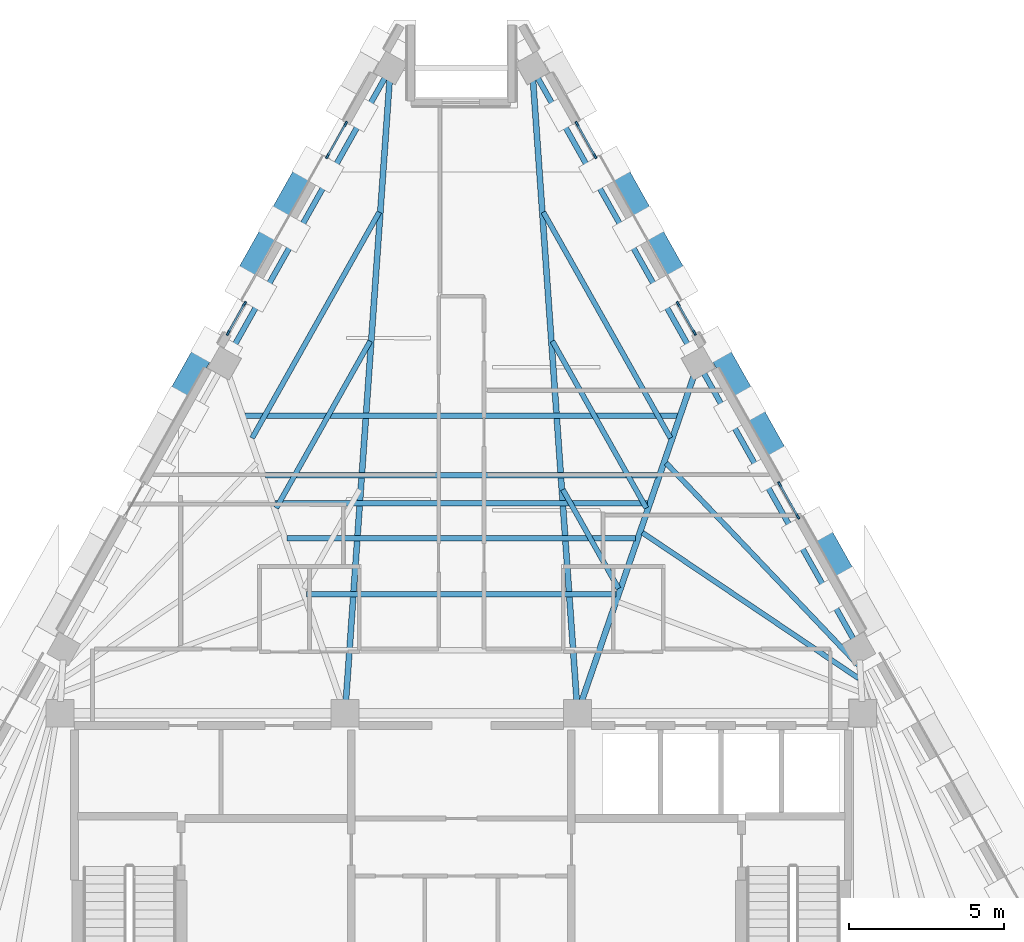
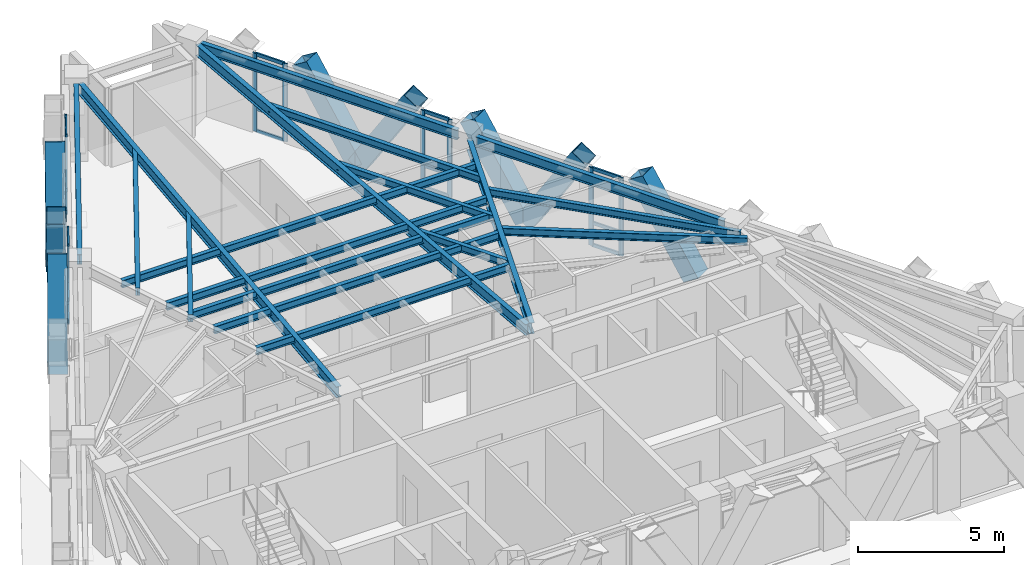
# One storey, part 3 of 9: 33 members, 18 beams, 5 elements without a shape of their own.
"""IFC4 building model written with IfcOpenShell, lengths in metres."""

from ifc_helpers import new_model, si_unit, direction, frame, origin, origin_2d, place, context, subcontext, project, spatial, rectangle, hollow_rectangle, i_section, extrude, material, material_profile, profile_set, type_object, element, aggregate, save


model = new_model("IFC4")

# Units and contexts
model_context = context("Model", 3, precision=1e-05, world=origin(), true_north=direction((0.0, 1.0)))
body_context = subcontext(model_context, "Body", "Model", "MODEL_VIEW")
ifc_project = project(units=[si_unit("LENGTHUNIT", "METRE"), si_unit("AREAUNIT", "SQUARE_METRE"), si_unit("VOLUMEUNIT", "CUBIC_METRE"), si_unit("PLANEANGLEUNIT", "RADIAN"), si_unit("MASSUNIT", "GRAM", prefix="KILO")], contexts=[model_context])

# Site, building, storey
site_placement = place(None, origin())
site = spatial("IfcSite", under=ifc_project, at=site_placement, CompositionType="ELEMENT")
building_placement = place(site_placement, origin())
building = spatial("IfcBuilding", under=site, at=building_placement, Name="Quenlor Broadcast Tower", CompositionType="ELEMENT")
storey_placement = place(building_placement, frame((0.0, 0.0, 228.89990234375)))
storey = spatial("IfcBuildingStorey", under=building, at=storey_placement, Name="L63", CompositionType="ELEMENT", Elevation=228.89990234375)

# Curtain wall, members
ifc_material_1 = material(Name="Architectural Terracotta and Low-E Glazing", Category="masonry")
curtain_wall_type = type_object("IfcCurtainWallType", Name="Unitised Terracotta Curtain Wall System Z5", PredefinedType="NOTDEFINED", material=ifc_material_1)
curtain_wall_1_placement = place(storey_placement, origin())
curtain_wall_1 = element("IfcCurtainWall", 1, at=curtain_wall_1_placement, inside=storey, type_object=curtain_wall_type, Name="L63 Curtain Wall CW5 (L63-NEA-G1)", PredefinedType="NOTDEFINED")
ifc_material_2 = material(Name="Aluminium 6063-T6", Category="aluminium")
ifc_material_profile_1 = material_profile(ifc_material_2, rectangle(XDim=0.06494140625, YDim=0.169921875, at=origin_2d()))
ifc_profile_set_1 = profile_set([ifc_material_profile_1], Name="Aluminium 6063-T6 MULL65x170")
member_type_1 = type_object("IfcMemberType", Name="CW5 Aluminium Mullion MULL_CW5", PredefinedType="MULLION", material=ifc_profile_set_1)
member_1_placement = place(storey_placement, frame((3.72802734375, 14.211669921875, 0.0), z_axis=(0.0, 0.0, 1.0), x_axis=(0.871558583916, 0.49029137745, 0.0)))
member_1 = element("IfcMember", 2, at=member_1_placement, type_object=member_type_1, Name="CW5 mullion 1", PredefinedType="MULLION", context=body_context, shape_type="SweptSolid", body=[
    extrude(rectangle(XDim=0.06494140625, YDim=0.169921875, at=origin_2d()), origin(), (0.0, 0.0, 1.0), 3.25),
])
member_2_placement = place(storey_placement, frame((4.31396484375, 13.169921875, 0.0), z_axis=(0.0, 0.0, 1.0), x_axis=(0.871558583916, 0.49029137745, 0.0)))
member_2 = element("IfcMember", 3, at=member_2_placement, type_object=member_type_1, Name="CW5 mullion 2", PredefinedType="MULLION", context=body_context, shape_type="SweptSolid", body=[
    extrude(rectangle(XDim=0.06494140625, YDim=0.169921875, at=origin_2d()), origin(), (0.0, 0.0, 1.0), 3.25),
])

curtain_wall_2_placement = place(storey_placement, origin())
curtain_wall_2 = element("IfcCurtainWall", 4, at=curtain_wall_2_placement, inside=storey, type_object=curtain_wall_type, Name="L63 Curtain Wall CW5 (L63-NEA-G2)", PredefinedType="NOTDEFINED")
member_3_placement = place(storey_placement, frame((6.99755859375, 8.39892578125, 0.0), z_axis=(0.0, 0.0, 1.0), x_axis=(0.871563693894, 0.490282293669, 0.0)))
member_3 = element("IfcMember", 5, at=member_3_placement, type_object=member_type_1, Name="CW5 mullion 1", PredefinedType="MULLION", context=body_context, shape_type="SweptSolid", body=[
    extrude(rectangle(XDim=0.06494140625, YDim=0.169921875, at=origin_2d()), origin(), (0.0, 0.0, 1.0), 3.25),
])
member_4_placement = place(storey_placement, frame((7.5185546875, 7.472900390625, 0.0), z_axis=(0.0, 0.0, 1.0), x_axis=(0.871563693894, 0.490282293669, 0.0)))
member_4 = element("IfcMember", 6, at=member_4_placement, type_object=member_type_1, Name="CW5 mullion 2", PredefinedType="MULLION", context=body_context, shape_type="SweptSolid", body=[
    extrude(rectangle(XDim=0.06494140625, YDim=0.169921875, at=origin_2d()), origin(), (0.0, 0.0, 1.0), 3.25),
])

curtain_wall_3_placement = place(storey_placement, origin())
curtain_wall_3 = element("IfcCurtainWall", 7, at=curtain_wall_3_placement, inside=storey, type_object=curtain_wall_type, Name="L63 Curtain Wall CW5 (L63-NE-G1)", PredefinedType="NOTDEFINED")
member_5_placement = place(storey_placement, frame((10.267333984375, 2.586181640625, 0.0), z_axis=(0.0, 0.0, 1.0), x_axis=(0.871592489955, 0.490231100048, 0.0)))
member_5 = element("IfcMember", 8, at=member_5_placement, type_object=member_type_1, Name="CW5 mullion 1", PredefinedType="MULLION", context=body_context, shape_type="SweptSolid", body=[
    extrude(rectangle(XDim=0.06494140625, YDim=0.169921875, at=origin_2d()), origin(), (0.0, 0.0, 1.0), 3.25),
])
member_6_placement = place(storey_placement, frame((10.853271484375, 1.54443359375, 0.0), z_axis=(0.0, 0.0, 1.0), x_axis=(0.871592489955, 0.490231100048, 0.0)))
member_6 = element("IfcMember", 9, at=member_6_placement, type_object=member_type_1, Name="CW5 mullion 2", PredefinedType="MULLION", context=body_context, shape_type="SweptSolid", body=[
    extrude(rectangle(XDim=0.06494140625, YDim=0.169921875, at=origin_2d()), origin(), (0.0, 0.0, 1.0), 3.25),
])

curtain_wall_4_placement = place(storey_placement, origin())
curtain_wall_4 = element("IfcCurtainWall", 10, at=curtain_wall_4_placement, inside=storey, type_object=curtain_wall_type, Name="L63 Curtain Wall CW5 (L63-NWC-G1)", PredefinedType="NOTDEFINED")
member_7_placement = place(storey_placement, frame((-7.5185546875, 7.472900390625, 0.0), z_axis=(0.0, 0.0, 1.0), x_axis=(-0.871563693894, 0.490282293669, 0.0)))
member_7 = element("IfcMember", 11, at=member_7_placement, type_object=member_type_1, Name="CW5 mullion 1", PredefinedType="MULLION", context=body_context, shape_type="SweptSolid", body=[
    extrude(rectangle(XDim=0.06494140625, YDim=0.169921875, at=origin_2d()), origin(), (0.0, 0.0, 1.0), 3.25),
])
member_8_placement = place(storey_placement, frame((-6.99755859375, 8.39892578125, 0.0), z_axis=(0.0, 0.0, 1.0), x_axis=(-0.871563693894, 0.490282293669, 0.0)))
member_8 = element("IfcMember", 12, at=member_8_placement, type_object=member_type_1, Name="CW5 mullion 2", PredefinedType="MULLION", context=body_context, shape_type="SweptSolid", body=[
    extrude(rectangle(XDim=0.06494140625, YDim=0.169921875, at=origin_2d()), origin(), (0.0, 0.0, 1.0), 3.25),
])

curtain_wall_5_placement = place(storey_placement, origin())
curtain_wall_5 = element("IfcCurtainWall", 13, at=curtain_wall_5_placement, inside=storey, type_object=curtain_wall_type, Name="L63 Curtain Wall CW5 (L63-NWC-G2)", PredefinedType="NOTDEFINED")
member_9_placement = place(storey_placement, frame((-4.31396484375, 13.169921875, 0.0), z_axis=(0.0, 0.0, 1.0), x_axis=(-0.871558583916, 0.49029137745, 0.0)))
member_9 = element("IfcMember", 14, at=member_9_placement, type_object=member_type_1, Name="CW5 mullion 1", PredefinedType="MULLION", context=body_context, shape_type="SweptSolid", body=[
    extrude(rectangle(XDim=0.06494140625, YDim=0.169921875, at=origin_2d()), origin(), (0.0, 0.0, 1.0), 3.25),
])
member_10_placement = place(storey_placement, frame((-3.72802734375, 14.211669921875, 0.0), z_axis=(0.0, 0.0, 1.0), x_axis=(-0.871558583916, 0.49029137745, 0.0)))
member_10 = element("IfcMember", 15, at=member_10_placement, type_object=member_type_1, Name="CW5 mullion 2", PredefinedType="MULLION", context=body_context, shape_type="SweptSolid", body=[
    extrude(rectangle(XDim=0.06494140625, YDim=0.169921875, at=origin_2d()), origin(), (0.0, 0.0, 1.0), 3.25),
])

# Member
ifc_material_3 = material(Name="Aluminium 6063-T6", Category="aluminium")
ifc_material_profile_2 = material_profile(ifc_material_3, rectangle(XDim=0.06494140625, YDim=0.139892578125, at=origin_2d()))
ifc_profile_set_2 = profile_set([ifc_material_profile_2], Name="Aluminium 6063-T6 TRAN65x140")
member_type_2 = type_object("IfcMemberType", Name="CW5 Aluminium Transom TRAN_CW5", PredefinedType="USERDEFINED", material=ifc_profile_set_2)
member_11_placement = place(storey_placement, frame((3.743896484375, 14.183349609375, 0.03271484375), z_axis=(0.490312513966, -0.871546693327, 0.0), x_axis=(0.871546693327, 0.490312513966, 0.0)))
member_11 = element("IfcMember", 16, at=member_11_placement, type_object=member_type_2, Name="CW5 transom 1.1", ObjectType="TRANSOM", PredefinedType="USERDEFINED", context=body_context, shape_type="SweptSolid", body=[
    extrude(rectangle(XDim=0.06494140625, YDim=0.139892578125, at=origin_2d()), origin(), (0.0, 0.0, 1.0), 1.13037109375),
])

member_12_placement = place(storey_placement, frame((3.743896484375, 14.183349609375, 0.9501953125), z_axis=(0.490312513966, -0.871546693327, 0.0), x_axis=(0.871546693327, 0.490312513966, 0.0)))
member_12 = element("IfcMember", 17, at=member_12_placement, type_object=member_type_2, Name="CW5 transom 1.2", ObjectType="TRANSOM", PredefinedType="USERDEFINED", context=body_context, shape_type="SweptSolid", body=[
    extrude(rectangle(XDim=0.06494140625, YDim=0.139892578125, at=origin_2d()), origin(), (0.0, 0.0, 1.0), 1.13037109375),
])

member_13_placement = place(storey_placement, frame((3.743896484375, 14.183349609375, 3.217529296875), z_axis=(0.490312513966, -0.871546693327, 0.0), x_axis=(0.871546693327, 0.490312513966, 0.0)))
member_13 = element("IfcMember", 18, at=member_13_placement, type_object=member_type_2, Name="CW5 transom 1.3", ObjectType="TRANSOM", PredefinedType="USERDEFINED", context=body_context, shape_type="SweptSolid", body=[
    extrude(rectangle(XDim=0.06494140625, YDim=0.139892578125, at=origin_2d()), origin(), (0.0, 0.0, 1.0), 1.13037109375),
])

aggregate(curtain_wall_1, [member_1, member_2, member_11, member_12, member_13])

member_14_placement = place(storey_placement, frame((7.013427734375, 8.37060546875, 0.03271484375), z_axis=(0.490249619047, -0.871582073602, 0.0), x_axis=(0.871582073602, 0.490249619047, 0.0)))
member_14 = element("IfcMember", 19, at=member_14_placement, type_object=member_type_2, Name="CW5 transom 1.1", ObjectType="TRANSOM", PredefinedType="USERDEFINED", context=body_context, shape_type="SweptSolid", body=[
    extrude(rectangle(XDim=0.06494140625, YDim=0.139892578125, at=origin_2d()), origin(), (0.0, 0.0, 1.0), 0.99755859375),
])

member_15_placement = place(storey_placement, frame((7.013427734375, 8.37060546875, 0.9501953125), z_axis=(0.490249619047, -0.871582073602, 0.0), x_axis=(0.871582073602, 0.490249619047, 0.0)))
member_15 = element("IfcMember", 20, at=member_15_placement, type_object=member_type_2, Name="CW5 transom 1.2", ObjectType="TRANSOM", PredefinedType="USERDEFINED", context=body_context, shape_type="SweptSolid", body=[
    extrude(rectangle(XDim=0.06494140625, YDim=0.139892578125, at=origin_2d()), origin(), (0.0, 0.0, 1.0), 0.99755859375),
])

member_16_placement = place(storey_placement, frame((7.013427734375, 8.37060546875, 3.217529296875), z_axis=(0.490249619047, -0.871582073602, 0.0), x_axis=(0.871582073602, 0.490249619047, 0.0)))
member_16 = element("IfcMember", 21, at=member_16_placement, type_object=member_type_2, Name="CW5 transom 1.3", ObjectType="TRANSOM", PredefinedType="USERDEFINED", context=body_context, shape_type="SweptSolid", body=[
    extrude(rectangle(XDim=0.06494140625, YDim=0.139892578125, at=origin_2d()), origin(), (0.0, 0.0, 1.0), 0.99755859375),
])

aggregate(curtain_wall_2, [member_3, member_4, member_14, member_15, member_16])

member_17_placement = place(storey_placement, frame((10.283203125, 2.557861328125, 0.03271484375), z_axis=(0.490312513966, -0.871546693327, 0.0), x_axis=(0.871546693327, 0.490312513966, 0.0)))
member_17 = element("IfcMember", 22, at=member_17_placement, type_object=member_type_2, Name="CW5 transom 1.1", ObjectType="TRANSOM", PredefinedType="USERDEFINED", context=body_context, shape_type="SweptSolid", body=[
    extrude(rectangle(XDim=0.06494140625, YDim=0.139892578125, at=origin_2d()), origin(), (0.0, 0.0, 1.0), 1.13037109375),
])

member_18_placement = place(storey_placement, frame((10.283203125, 2.557861328125, 0.9501953125), z_axis=(0.490312513966, -0.871546693327, 0.0), x_axis=(0.871546693327, 0.490312513966, 0.0)))
member_18 = element("IfcMember", 23, at=member_18_placement, type_object=member_type_2, Name="CW5 transom 1.2", ObjectType="TRANSOM", PredefinedType="USERDEFINED", context=body_context, shape_type="SweptSolid", body=[
    extrude(rectangle(XDim=0.06494140625, YDim=0.139892578125, at=origin_2d()), origin(), (0.0, 0.0, 1.0), 1.13037109375),
])

member_19_placement = place(storey_placement, frame((10.283203125, 2.557861328125, 3.217529296875), z_axis=(0.490312513966, -0.871546693327, 0.0), x_axis=(0.871546693327, 0.490312513966, 0.0)))
member_19 = element("IfcMember", 24, at=member_19_placement, type_object=member_type_2, Name="CW5 transom 1.3", ObjectType="TRANSOM", PredefinedType="USERDEFINED", context=body_context, shape_type="SweptSolid", body=[
    extrude(rectangle(XDim=0.06494140625, YDim=0.139892578125, at=origin_2d()), origin(), (0.0, 0.0, 1.0), 1.13037109375),
])

aggregate(curtain_wall_3, [member_5, member_6, member_17, member_18, member_19])

member_20_placement = place(storey_placement, frame((-7.50244140625, 7.501220703125, 0.03271484375), z_axis=(0.490249619047, 0.871582073602, 0.0), x_axis=(-0.871582073602, 0.490249619047, 0.0)))
member_20 = element("IfcMember", 25, at=member_20_placement, type_object=member_type_2, Name="CW5 transom 1.1", ObjectType="TRANSOM", PredefinedType="USERDEFINED", context=body_context, shape_type="SweptSolid", body=[
    extrude(rectangle(XDim=0.06494140625, YDim=0.139892578125, at=origin_2d()), origin(), (0.0, 0.0, 1.0), 0.99755859375),
])

member_21_placement = place(storey_placement, frame((-7.50244140625, 7.501220703125, 0.9501953125), z_axis=(0.490249619047, 0.871582073602, 0.0), x_axis=(-0.871582073602, 0.490249619047, 0.0)))
member_21 = element("IfcMember", 26, at=member_21_placement, type_object=member_type_2, Name="CW5 transom 1.2", ObjectType="TRANSOM", PredefinedType="USERDEFINED", context=body_context, shape_type="SweptSolid", body=[
    extrude(rectangle(XDim=0.06494140625, YDim=0.139892578125, at=origin_2d()), origin(), (0.0, 0.0, 1.0), 0.99755859375),
])

member_22_placement = place(storey_placement, frame((-7.50244140625, 7.501220703125, 3.217529296875), z_axis=(0.490249619047, 0.871582073602, 0.0), x_axis=(-0.871582073602, 0.490249619047, 0.0)))
member_22 = element("IfcMember", 27, at=member_22_placement, type_object=member_type_2, Name="CW5 transom 1.3", ObjectType="TRANSOM", PredefinedType="USERDEFINED", context=body_context, shape_type="SweptSolid", body=[
    extrude(rectangle(XDim=0.06494140625, YDim=0.139892578125, at=origin_2d()), origin(), (0.0, 0.0, 1.0), 0.99755859375),
])

aggregate(curtain_wall_4, [member_7, member_8, member_20, member_21, member_22])

member_23_placement = place(storey_placement, frame((-4.298095703125, 13.1982421875, 0.03271484375), z_axis=(0.490312513966, 0.871546693327, 0.0), x_axis=(-0.871546693327, 0.490312513966, 0.0)))
member_23 = element("IfcMember", 28, at=member_23_placement, type_object=member_type_2, Name="CW5 transom 1.1", ObjectType="TRANSOM", PredefinedType="USERDEFINED", context=body_context, shape_type="SweptSolid", body=[
    extrude(rectangle(XDim=0.06494140625, YDim=0.139892578125, at=origin_2d()), origin(), (0.0, 0.0, 1.0), 1.13037109375),
])

member_24_placement = place(storey_placement, frame((-4.298095703125, 13.1982421875, 0.9501953125), z_axis=(0.490312513966, 0.871546693327, 0.0), x_axis=(-0.871546693327, 0.490312513966, 0.0)))
member_24 = element("IfcMember", 29, at=member_24_placement, type_object=member_type_2, Name="CW5 transom 1.2", ObjectType="TRANSOM", PredefinedType="USERDEFINED", context=body_context, shape_type="SweptSolid", body=[
    extrude(rectangle(XDim=0.06494140625, YDim=0.139892578125, at=origin_2d()), origin(), (0.0, 0.0, 1.0), 1.13037109375),
])

member_25_placement = place(storey_placement, frame((-4.298095703125, 13.1982421875, 3.217529296875), z_axis=(0.490312513966, 0.871546693327, 0.0), x_axis=(-0.871546693327, 0.490312513966, 0.0)))
member_25 = element("IfcMember", 30, at=member_25_placement, type_object=member_type_2, Name="CW5 transom 1.3", ObjectType="TRANSOM", PredefinedType="USERDEFINED", context=body_context, shape_type="SweptSolid", body=[
    extrude(rectangle(XDim=0.06494140625, YDim=0.139892578125, at=origin_2d()), origin(), (0.0, 0.0, 1.0), 1.13037109375),
])

aggregate(curtain_wall_5, [member_9, member_10, member_23, member_24, member_25])

# Members
ifc_material_4 = material(Name="Steel S355", Category="steel")
ifc_material_profile_3 = material_profile(ifc_material_4, hollow_rectangle(XDim=0.679931640625, YDim=0.679931640625, WallThickness=0.02001953125, at=origin_2d()))
ifc_profile_set_3 = profile_set([ifc_material_profile_3], Name="Steel S355 RHS680x680x20")
member_type_3 = type_object("IfcMemberType", Name="Perimeter Diagonal Lattice Brace Z5-Crown Steel S355 RHS680x20", PredefinedType="BRACE", material=ifc_profile_set_3)
for number, where, z_axis, x_axis, name in (
    (31, (5.993408203125, 10.98974609375, -0.119873046875), (-0.260563732169, 0.463283497491, 0.847038926161), (-0.871602253711, -0.49021374045, 0.0), "L63 Perimeter Diamond Lattice NE-C1B"),
    (32, (6.006591796875, 10.96630859375, -0.119873046875), (0.260618804175, -0.463276364439, 0.847025884529), (0.8715547569, 0.490298180422, 0.0), "L63 Perimeter Diamond Lattice NE-C2S"),
    (33, (9.26318359375, 5.177001953125, -0.119873046875), (-0.260618804175, 0.463276364439, 0.847025884529), (-0.8715547569, -0.490298180422, 0.0), "L63 Perimeter Diamond Lattice NE-C2B"),
    (34, (9.2763671875, 5.153564453125, -0.119873046875), (0.260563732169, -0.463283497491, 0.847038926161), (0.871602253711, 0.49021374045, 0.0), "L63 Perimeter Diamond Lattice NE-C3S"),
    (35, (12.532958984375, -0.635986328125, -0.119873046875), (-0.260618804175, 0.463276364439, 0.847025884529), (-0.8715547569, -0.490298180422, 0.0), "L63 Perimeter Diamond Lattice NE-C3B"),
    (36, (-9.26318359375, 5.177001953125, -0.119873046875), (0.260618804175, 0.463276364439, 0.847025884529), (-0.8715547569, 0.490298180422, 0.0), "L63 Perimeter Diamond Lattice NW-C4S"),
    (37, (-6.006591796875, 10.96630859375, -0.119873046875), (-0.260618804175, -0.463276364439, 0.847025884529), (0.8715547569, -0.490298180422, 0.0), "L63 Perimeter Diamond Lattice NW-C4B"),
    (38, (-5.993408203125, 10.98974609375, -0.119873046875), (0.260563732169, 0.463283497491, 0.847038926161), (-0.871602253711, 0.49021374045, 0.0), "L63 Perimeter Diamond Lattice NW-C5S"),
):
    element("IfcMember", number, at=place(storey_placement, frame(where, z_axis=z_axis, x_axis=x_axis)), inside=storey, type_object=member_type_3, Name=name, PredefinedType="BRACE", context=body_context, shape_type="SweptSolid", body=[
        extrude(hollow_rectangle(XDim=0.679931640625, YDim=0.679931640625, WallThickness=0.02001953125, at=origin_2d()), origin(), (0.0, 0.0, 1.0), 4.132080078125),
    ])

# Beams
ifc_material_5 = material(Name="Steel S355", Category="steel")
ifc_material_profile_4 = material_profile(ifc_material_5, i_section(OverallWidth=0.177978515625, OverallDepth=0.406494140625, WebThickness=0.0078125, FlangeThickness=0.0126953125, FilletRadius=0.011474609375, at=origin_2d()))
ifc_profile_set_4 = profile_set([ifc_material_profile_4], Name="Steel S355 410UB59.7")
beam_type_1 = type_object("IfcBeamType", Name="Perimeter Spandrel Beam Z5 Steel S355 410UB59.7", PredefinedType="SPANDREL", material=ifc_profile_set_4)
beam_1_placement = place(storey_placement, frame((12.64892578125, -2.412841796875, 3.046875), z_axis=(-0.49024947634, 0.871582153872, 0.0), x_axis=(-0.871582153872, -0.49024947634, 0.0)))
element("IfcBeam", 39, at=beam_1_placement, inside=storey, type_object=beam_type_1, Name="L63 Spandrel Beam NE2-NE3", PredefinedType="SPANDREL", context=body_context, shape_type="SweptSolid", body=[
    extrude(i_section(OverallWidth=0.177978515625, OverallDepth=0.406494140625, WebThickness=0.0078125, FlangeThickness=0.0126953125, FilletRadius=0.011474609375, at=origin_2d()), origin(), (0.0, 0.0, 1.0), 9.853759765625),
])
for number, where, z_axis, x_axis, name in (
    (40, (7.465087890625, 6.802978515625, 3.046875), (-0.490264646634, 0.871573620677, 0.0), (-0.871573620677, -0.490264646634, 0.0), "L63 Spandrel Beam NE3-NE4"),
    (41, (-2.461181640625, 15.69873046875, 3.046875), (-0.490264646634, -0.871573620677, 0.0), (0.871573620677, -0.490264646634, 0.0), "L63 Spandrel Beam NW1-NW2"),
):
    element("IfcBeam", number, at=place(storey_placement, frame(where, z_axis=z_axis, x_axis=x_axis)), inside=storey, type_object=beam_type_1, Name=name, PredefinedType="SPANDREL", context=body_context, shape_type="SweptSolid", body=[
        extrude(i_section(OverallWidth=0.177978515625, OverallDepth=0.406494140625, WebThickness=0.0078125, FlangeThickness=0.0126953125, FilletRadius=0.011474609375, at=origin_2d()), origin(), (0.0, 0.0, 1.0), 10.20654296875),
    ])
ifc_material_6 = material(Name="Steel S355", Category="steel")
ifc_material_profile_5 = material_profile(ifc_material_6, i_section(OverallWidth=0.166015625, OverallDepth=0.30712890625, WebThickness=0.006591796875, FlangeThickness=0.01171875, FilletRadius=0.011474609375, at=origin_2d()))
ifc_profile_set_5 = profile_set([ifc_material_profile_5], Name="Steel S355 310UB46.2")
beam_type_2 = type_object("IfcBeamType", Name="Tower Composite Joist Z4-Z5 Steel S355 310UB46.2", PredefinedType="JOIST", material=ifc_profile_set_5)
beam_2_placement = place(storey_placement, frame((-6.0048828125, 1.9736328125, 3.096435546875), z_axis=(1.0, 0.0, 0.0), x_axis=(0.0, 1.0, 0.0)))
element("IfcBeam", 42, at=beam_2_placement, inside=storey, type_object=beam_type_2, Name="L63 Secondary Composite Joist 2", PredefinedType="JOIST", context=body_context, shape_type="SweptSolid", body=[
    extrude(i_section(OverallWidth=0.166015625, OverallDepth=0.30712890625, WebThickness=0.006591796875, FlangeThickness=0.01171875, FilletRadius=0.011474609375, at=origin_2d()), origin(), (0.0, 0.0, 1.0), 12.009765625),
])
beam_3_placement = place(storey_placement, frame((-4.9931640625, -0.961669921875, 3.096435546875), z_axis=(1.0, 0.0, 0.0), x_axis=(0.0, 1.0, 0.0)))
element("IfcBeam", 43, at=beam_3_placement, inside=storey, type_object=beam_type_2, Name="L63 Secondary Composite Joist 3", PredefinedType="JOIST", context=body_context, shape_type="SweptSolid", body=[
    extrude(i_section(OverallWidth=0.166015625, OverallDepth=0.30712890625, WebThickness=0.006591796875, FlangeThickness=0.01171875, FilletRadius=0.011474609375, at=origin_2d()), origin(), (0.0, 0.0, 1.0), 9.986328125),
])
beam_4_placement = place(storey_placement, frame((-5.61572265625, 0.8447265625, 3.096435546875), z_axis=(1.0, 0.0, 0.0), x_axis=(0.0, 1.0, 0.0)))
element("IfcBeam", 44, at=beam_4_placement, inside=storey, type_object=beam_type_2, Name="L63 Secondary Composite Joist 4", PredefinedType="JOIST", context=body_context, shape_type="SweptSolid", body=[
    extrude(i_section(OverallWidth=0.166015625, OverallDepth=0.30712890625, WebThickness=0.006591796875, FlangeThickness=0.01171875, FilletRadius=0.011474609375, at=origin_2d()), origin(), (0.0, 0.0, 1.0), 11.2314453125),
])
beam_5_placement = place(storey_placement, frame((-6.316162109375, 2.876708984375, 3.096435546875), z_axis=(1.0, 0.0, 0.0), x_axis=(0.0, 1.0, 0.0)))
element("IfcBeam", 45, at=beam_5_placement, inside=storey, type_object=beam_type_2, Name="L63 Secondary Composite Joist 5", PredefinedType="JOIST", context=body_context, shape_type="SweptSolid", body=[
    extrude(i_section(OverallWidth=0.166015625, OverallDepth=0.30712890625, WebThickness=0.006591796875, FlangeThickness=0.01171875, FilletRadius=0.011474609375, at=origin_2d()), origin(), (0.0, 0.0, 1.0), 12.63232421875),
])
beam_6_placement = place(storey_placement, frame((-6.977783203125, 4.7958984375, 3.096435546875), z_axis=(1.0, 0.0, 0.0), x_axis=(0.0, 1.0, 0.0)))
element("IfcBeam", 46, at=beam_6_placement, inside=storey, type_object=beam_type_2, Name="L63 Secondary Composite Joist 6", PredefinedType="JOIST", context=body_context, shape_type="SweptSolid", body=[
    extrude(i_section(OverallWidth=0.166015625, OverallDepth=0.30712890625, WebThickness=0.006591796875, FlangeThickness=0.01171875, FilletRadius=0.011474609375, at=origin_2d()), origin(), (0.0, 0.0, 1.0), 13.95556640625),
])
beam_7_placement = place(storey_placement, frame((12.81884765625, -3.67724609375, 3.096435546875), z_axis=(-0.829286301475, 0.558823970661, 0.0), x_axis=(-0.558823970661, -0.829286301475, 0.0)))
element("IfcBeam", 47, at=beam_7_placement, inside=storey, type_object=beam_type_2, Name="L63 Secondary Composite Joist 11", PredefinedType="JOIST", context=body_context, shape_type="SweptSolid", body=[
    extrude(i_section(OverallWidth=0.166015625, OverallDepth=0.30712890625, WebThickness=0.006591796875, FlangeThickness=0.01171875, FilletRadius=0.011474609375, at=origin_2d()), origin(), (0.0, 0.0, 1.0), 8.415771484375),
])
beam_8_placement = place(storey_placement, frame((12.80517578125, -3.249267578125, 3.096435546875), z_axis=(-0.689023306429, 0.724739182877, 0.0), x_axis=(-0.724739182877, -0.689023306429, 0.0)))
element("IfcBeam", 48, at=beam_8_placement, inside=storey, type_object=beam_type_2, Name="L63 Secondary Composite Joist 12", PredefinedType="JOIST", context=body_context, shape_type="SweptSolid", body=[
    extrude(i_section(OverallWidth=0.166015625, OverallDepth=0.30712890625, WebThickness=0.006591796875, FlangeThickness=0.01171875, FilletRadius=0.011474609375, at=origin_2d()), origin(), (0.0, 0.0, 1.0), 8.99560546875),
])
beam_9_placement = place(storey_placement, frame((-2.939208984375, 7.201416015625, 3.096435546875), z_axis=(-0.490266868828, -0.871572370678, 0.0), x_axis=(0.871572370678, -0.490266868828, 0.0)))
element("IfcBeam", 49, at=beam_9_placement, inside=storey, type_object=beam_type_2, Name="L63 Secondary Composite Joist 26", PredefinedType="JOIST", context=body_context, shape_type="SweptSolid", body=[
    extrude(i_section(OverallWidth=0.166015625, OverallDepth=0.30712890625, WebThickness=0.006591796875, FlangeThickness=0.01171875, FilletRadius=0.011474609375, at=origin_2d()), origin(), (0.0, 0.0, 1.0), 6.177490234375),
])
beam_10_placement = place(storey_placement, frame((-2.646240234375, 11.364013671875, 3.096435546875), z_axis=(-0.490264011812, -0.871573977768, 0.0), x_axis=(0.871573977768, -0.490264011812, 0.0)))
element("IfcBeam", 50, at=beam_10_placement, inside=storey, type_object=beam_type_2, Name="L63 Secondary Composite Joist 27", PredefinedType="JOIST", context=body_context, shape_type="SweptSolid", body=[
    extrude(i_section(OverallWidth=0.166015625, OverallDepth=0.30712890625, WebThickness=0.006591796875, FlangeThickness=0.01171875, FilletRadius=0.011474609375, at=origin_2d()), origin(), (0.0, 0.0, 1.0), 8.362548828125),
])
beam_11_placement = place(storey_placement, frame((3.2763671875, 2.41455078125, 3.096435546875), z_axis=(0.490258076222, -0.871577316535, 0.0), x_axis=(0.871577316535, 0.490258076222, 0.0)))
element("IfcBeam", 51, at=beam_11_placement, inside=storey, type_object=beam_type_2, Name="L63 Secondary Composite Joist 28", PredefinedType="JOIST", context=body_context, shape_type="SweptSolid", body=[
    extrude(i_section(OverallWidth=0.166015625, OverallDepth=0.30712890625, WebThickness=0.006591796875, FlangeThickness=0.01171875, FilletRadius=0.011474609375, at=origin_2d()), origin(), (0.0, 0.0, 1.0), 3.6640625),
])
beam_12_placement = place(storey_placement, frame((2.939208984375, 7.201416015625, 3.096435546875), z_axis=(0.490266868828, -0.871572370678, 0.0), x_axis=(0.871572370678, 0.490266868828, 0.0)))
element("IfcBeam", 52, at=beam_12_placement, inside=storey, type_object=beam_type_2, Name="L63 Secondary Composite Joist 29", PredefinedType="JOIST", context=body_context, shape_type="SweptSolid", body=[
    extrude(i_section(OverallWidth=0.166015625, OverallDepth=0.30712890625, WebThickness=0.006591796875, FlangeThickness=0.01171875, FilletRadius=0.011474609375, at=origin_2d()), origin(), (0.0, 0.0, 1.0), 6.177490234375),
])
beam_13_placement = place(storey_placement, frame((2.646240234375, 11.364013671875, 3.096435546875), z_axis=(0.490264011812, -0.871573977768, 0.0), x_axis=(0.871573977768, 0.490264011812, 0.0)))
element("IfcBeam", 53, at=beam_13_placement, inside=storey, type_object=beam_type_2, Name="L63 Secondary Composite Joist 30", PredefinedType="JOIST", context=body_context, shape_type="SweptSolid", body=[
    extrude(i_section(OverallWidth=0.166015625, OverallDepth=0.30712890625, WebThickness=0.006591796875, FlangeThickness=0.01171875, FilletRadius=0.011474609375, at=origin_2d()), origin(), (0.0, 0.0, 1.0), 8.362548828125),
])
ifc_material_7 = material(Name="Steel S355", Category="steel")
ifc_material_profile_6 = material_profile(ifc_material_7, i_section(OverallWidth=0.19091796875, OverallDepth=0.46044921875, WebThickness=0.010009765625, FlangeThickness=0.01611328125, FilletRadius=0.011474609375, at=origin_2d()))
ifc_profile_set_6 = profile_set([ifc_material_profile_6], Name="Steel S355 460UB82.1")
beam_type_3 = type_object("IfcBeamType", Name="Tower Primary Floor Beam Z5 Steel S355 460UB82.1", PredefinedType="BEAM", material=ifc_profile_set_6)
beam_14_placement = place(storey_placement, frame((7.524169921875, 6.14892578125, 3.02001953125), z_axis=(-0.325895297662, -0.945405867848, 0.0), x_axis=(0.945405867848, -0.325895297662, 0.0)))
element("IfcBeam", 54, at=beam_14_placement, inside=storey, type_object=beam_type_3, Name="L63 Primary Radial Beam NE3", PredefinedType="BEAM", context=body_context, shape_type="SweptSolid", body=[
    extrude(i_section(OverallWidth=0.19091796875, OverallDepth=0.46044921875, WebThickness=0.010009765625, FlangeThickness=0.01611328125, FilletRadius=0.011474609375, at=origin_2d()), origin(), (0.0, 0.0, 1.0), 11.201171875),
])
for number, where, z_axis, x_axis, name in (
    (55, (2.31005859375, 15.6533203125, 3.02001953125), (0.070231384782, -0.997530727643, 0.0), (0.997530727643, 0.070231384782, 0.0), "L63 Primary Radial Beam NE4"),
    (56, (-2.31005859375, 15.6533203125, 3.02001953125), (-0.070231384782, -0.997530727643, 0.0), (0.997530727643, -0.070231384782, 0.0), "L63 Primary Radial Beam NW1"),
):
    element("IfcBeam", number, at=place(storey_placement, frame(where, z_axis=z_axis, x_axis=x_axis)), inside=storey, type_object=beam_type_3, Name=name, PredefinedType="BEAM", context=body_context, shape_type="SweptSolid", body=[
        extrude(i_section(OverallWidth=0.19091796875, OverallDepth=0.46044921875, WebThickness=0.010009765625, FlangeThickness=0.01611328125, FilletRadius=0.011474609375, at=origin_2d()), origin(), (0.0, 0.0, 1.0), 20.1240234375),
    ])

save(model, "model.ifc")
